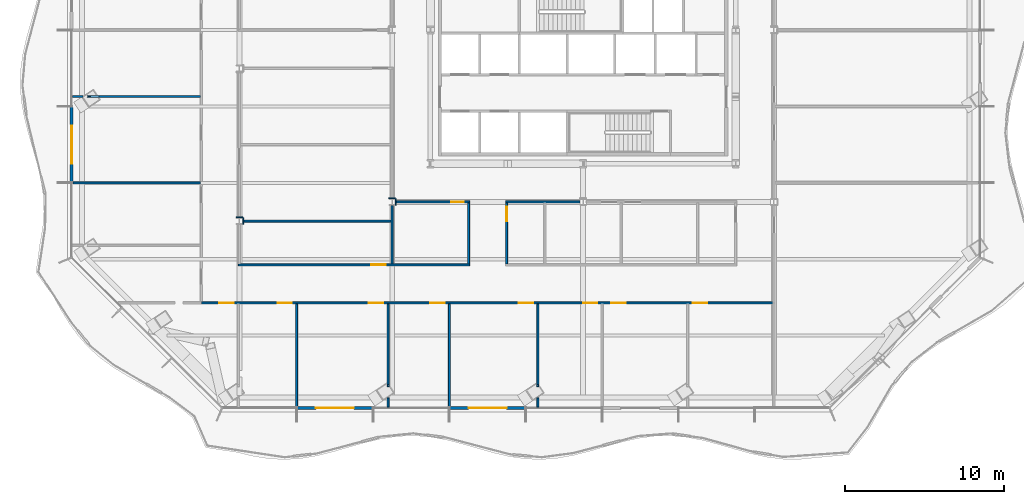
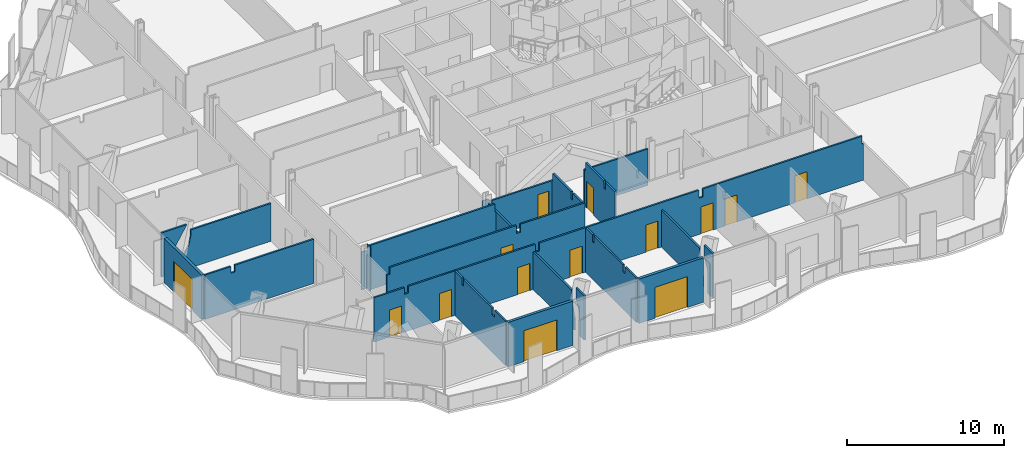
# One storey, part 6 of 20: 24 walls, 14 doors, 14 openings.
"""IFC4 building model written with IfcOpenShell, lengths in metres."""

from ifc_helpers import new_model, si_unit, direction, frame, frame_2d, origin, place, context, subcontext, project, spatial, polyline, rectangle, outline, extrude, material, layer, layer_set, type_object, element, fill, save


model = new_model("IFC4")

# Units and contexts
model_context = context("Model", 3, precision=1e-05, world=origin(), true_north=direction((0.0, 1.0)))
body_context = subcontext(model_context, "Body", "Model", "MODEL_VIEW")
ifc_project = project(units=[si_unit("LENGTHUNIT", "METRE"), si_unit("AREAUNIT", "SQUARE_METRE"), si_unit("VOLUMEUNIT", "CUBIC_METRE"), si_unit("PLANEANGLEUNIT", "RADIAN"), si_unit("MASSUNIT", "GRAM", prefix="KILO")], contexts=[model_context])

# Site, building, storey
site_placement = place(None, origin())
site = spatial("IfcSite", under=ifc_project, at=site_placement, CompositionType="ELEMENT")
building_placement = place(site_placement, origin())
building = spatial("IfcBuilding", under=site, at=building_placement, Name="Cairn Pilgrim Tower", CompositionType="ELEMENT")
storey_placement = place(building_placement, frame((0.0, 0.0, 101.39990234375)))
storey = spatial("IfcBuildingStorey", under=building, at=storey_placement, Name="L24", CompositionType="ELEMENT", Elevation=101.39990234375)

# Wall, opening, door
ifc_material_1 = material(Name="Bronze anodised aluminium insulated sandwich panel with mineral wool fill", Category="aluminium")
ifc_layer_1 = layer(ifc_material_1, 0.199951171875)
ifc_layer_set_1 = layer_set([ifc_layer_1], Name="BRONZE INFILL FRAME WALL 200")
wall_type_1 = type_object("IfcWallType", Name="BRONZE INFILL FRAME WALL 200", PredefinedType="NOTDEFINED", material=ifc_layer_set_1)
wall_1_placement = place(storey_placement, frame((-10.77001953125, -21.35009765625, 0.0), z_axis=(0.0, 0.0, 1.0), x_axis=(1.0, 0.0, 0.0)))
wall_1 = element("IfcWall", 1, at=wall_1_placement, inside=storey, type_object=wall_type_1, Name="Bronze infill frame wall IW-S2", PredefinedType="NOTDEFINED", context=body_context, shape_type="SweptSolid", body=[
    extrude(rectangle(XDim=4.739990234375, YDim=0.199951171875, at=frame_2d((2.3701171875, 0.0))), origin(), (0.0, 0.0, 1.0), 3.4501953125),
])
opening_1_placement = place(wall_1_placement, frame((1.169921875, 0.0, 0.0)))
opening_1 = element("IfcOpeningElement", 2, at=opening_1_placement, cuts=wall_1, Name="Opening 2403B", PredefinedType="OPENING", context=body_context, shape_type="SweptSolid", body=[
    extrude(rectangle(XDim=2.39990234375, YDim=2.39990234375, at=frame_2d((1.199951171875, 1.199951171875))), frame((0.0, 0.10986328125, 0.0), z_axis=(0.0, -1.0, 0.0), x_axis=(1.0, 0.0, 0.0)), (0.0, 0.0, 1.0), 0.219970703125),
])
ifc_material_2 = material(Name="Bronze anodised aluminium frame with tinted low-E glass", Category="aluminium")
door_type_1 = type_object("IfcDoorType", Name="BALCONY SLIDING DOOR 2400x2400", OperationType="DOUBLE_DOOR_SLIDING", PredefinedType="DOOR", material=ifc_material_2)
door_1_placement = place(opening_1_placement, origin())
door_1 = element("IfcDoor", 3, at=door_1_placement, inside=storey, type_object=door_type_1, Name="Balcony sliding door 2403B", OperationType="SINGLE_SWING_LEFT", OverallHeight=2.39990234375, OverallWidth=2.39990234375, PredefinedType="DOOR", context=body_context, shape_type="SweptSolid", body=[
    extrude(rectangle(XDim=2.39990234375, YDim=2.39990234375, at=frame_2d((1.199951171875, 1.199951171875))), frame((0.0, 0.02490234375, 0.0), z_axis=(0.0, -1.0, 0.0), x_axis=(1.0, 0.0, 0.0)), (0.0, 0.0, 1.0), 0.050048828125),
])
fill(opening_1, door_1)

wall_2_placement = place(storey_placement, frame((-1.169921875, -21.35009765625, 0.0), z_axis=(0.0, 0.0, 1.0), x_axis=(1.0, 0.0, 0.0)))
wall_2 = element("IfcWall", 4, at=wall_2_placement, inside=storey, type_object=wall_type_1, Name="Bronze infill frame wall IW-S4", PredefinedType="NOTDEFINED", context=body_context, shape_type="SweptSolid", body=[
    extrude(rectangle(XDim=4.739990234375, YDim=0.199951171875, at=frame_2d((2.3701171875, 0.0))), origin(), (0.0, 0.0, 1.0), 3.4501953125),
])
opening_2_placement = place(wall_2_placement, frame((1.169921875, 0.0, 0.0)))
opening_2 = element("IfcOpeningElement", 5, at=opening_2_placement, cuts=wall_2, Name="Opening 2405B", PredefinedType="OPENING", context=body_context, shape_type="SweptSolid", body=[
    extrude(rectangle(XDim=2.39990234375, YDim=2.39990234375, at=frame_2d((1.199951171875, 1.199951171875))), frame((0.0, 0.10986328125, 0.0), z_axis=(0.0, -1.0, 0.0), x_axis=(1.0, 0.0, 0.0)), (0.0, 0.0, 1.0), 0.219970703125),
])
door_2_placement = place(opening_2_placement, origin())
door_2 = element("IfcDoor", 6, at=door_2_placement, inside=storey, type_object=door_type_1, Name="Balcony sliding door 2405B", OperationType="SINGLE_SWING_LEFT", OverallHeight=2.39990234375, OverallWidth=2.39990234375, PredefinedType="DOOR", context=body_context, shape_type="SweptSolid", body=[
    extrude(rectangle(XDim=2.39990234375, YDim=2.39990234375, at=frame_2d((1.199951171875, 1.199951171875))), frame((0.0, 0.02490234375, 0.0), z_axis=(0.0, -1.0, 0.0), x_axis=(1.0, 0.0, 0.0)), (0.0, 0.0, 1.0), 0.050048828125),
])
fill(opening_2, door_2)

wall_3_placement = place(storey_placement, frame((-24.949951171875, -2.429931640625, 0.0), z_axis=(0.0, 0.0, 1.0), x_axis=(0.0, -1.0, 0.0)))
wall_3 = element("IfcWall", 7, at=wall_3_placement, inside=storey, type_object=wall_type_1, Name="Bronze infill frame wall IW-W5", PredefinedType="NOTDEFINED", context=body_context, shape_type="SweptSolid", body=[
    extrude(rectangle(XDim=4.739990234375, YDim=0.199951171875, at=frame_2d((2.3701171875, 0.0))), origin(), (0.0, 0.0, 1.0), 3.4501953125),
])
opening_3_placement = place(wall_3_placement, frame((1.169921875, 0.0, 0.0)))
opening_3 = element("IfcOpeningElement", 8, at=opening_3_placement, cuts=wall_3, Name="Opening 2411B", PredefinedType="OPENING", context=body_context, shape_type="SweptSolid", body=[
    extrude(rectangle(XDim=2.39990234375, YDim=2.39990234375, at=frame_2d((1.199951171875, 1.199951171875))), frame((0.0, 0.10986328125, 0.0), z_axis=(0.0, -1.0, 0.0), x_axis=(1.0, 0.0, 0.0)), (0.0, 0.0, 1.0), 0.219970703125),
])
door_3_placement = place(opening_3_placement, origin())
door_3 = element("IfcDoor", 9, at=door_3_placement, inside=storey, type_object=door_type_1, Name="Balcony sliding door 2411B", OperationType="SINGLE_SWING_LEFT", OverallHeight=2.39990234375, OverallWidth=2.39990234375, PredefinedType="DOOR", context=body_context, shape_type="SweptSolid", body=[
    extrude(rectangle(XDim=2.39990234375, YDim=2.39990234375, at=frame_2d((1.199951171875, 1.199951171875))), frame((0.0, 0.02490234375, 0.0), z_axis=(0.0, -1.0, 0.0), x_axis=(1.0, 0.0, 0.0)), (0.0, 0.0, 1.0), 0.050048828125),
])
fill(opening_3, door_3)

# Walls
ifc_material_3 = material(Name="Gypsum partition")
ifc_layer_2 = layer(ifc_material_3, 0.125)
ifc_layer_set_2 = layer_set([ifc_layer_2], Name="PARTITION 125 DRYWALL EI 60")
wall_type_2 = type_object("IfcWallType", Name="PARTITION 125 DRYWALL EI 60", PredefinedType="PARTITIONING", material=ifc_layer_set_2)
wall_4_placement = place(storey_placement, frame((-5.056884765625, -21.302978515625, 0.0), z_axis=(0.0, 0.0, 1.0), x_axis=(0.0, 1.0, 0.0)))
element("IfcWall", 10, at=wall_4_placement, inside=storey, type_object=wall_type_2, Name="PARTITION W002", PredefinedType="PARTITIONING", context=body_context, shape_type="SweptSolid", body=[
    extrude(outline(polyline([(0.0, 0.0), (0.5849609375, 0.0), (0.5849609375, 0.862548828125), (0.5849609375, 1.72509765625), (1.05908203125, 2.587646484375), (1.05908203125, 3.4501953125), (0.0, 3.4501953125), (0.0, 2.587646484375), (0.0, 1.72509765625), (0.0, 0.862548828125), (0.0, 0.0)])), frame((0.0, 0.0625, 0.0), z_axis=(0.0, -1.0, 0.0), x_axis=(1.0, 0.0, 0.0)), (0.0, 0.0, 1.0), 0.125),
])
wall_5_placement = place(storey_placement, frame((4.35595703125, -21.302978515625, 0.0), z_axis=(0.0, 0.0, 1.0), x_axis=(0.0, 1.0, 0.0)))
element("IfcWall", 11, at=wall_5_placement, inside=storey, type_object=wall_type_2, Name="PARTITION W003", PredefinedType="PARTITIONING", context=body_context, shape_type="SweptSolid", body=[
    extrude(outline(polyline([(0.0, 0.0), (0.584716796875, 0.0), (0.584716796875, 0.862548828125), (0.584716796875, 1.72509765625), (1.06005859375, 2.587646484375), (1.06005859375, 3.4501953125), (0.0, 3.4501953125), (0.0, 2.587646484375), (0.0, 1.72509765625), (0.0, 0.862548828125), (0.0, 0.0)])), frame((0.0, 0.0625, 0.0), z_axis=(0.0, -1.0, 0.0), x_axis=(1.0, 0.0, 0.0)), (0.0, 0.0, 1.0), 0.125),
])
wall_6_placement = place(storey_placement, frame((-10.800048828125, -21.25, 0.0), z_axis=(0.0, 0.0, 1.0), x_axis=(0.0, 1.0, 0.0)))
element("IfcWall", 12, at=wall_6_placement, inside=storey, type_object=wall_type_2, Name="PARTITION W006", PredefinedType="PARTITIONING", context=body_context, shape_type="SweptSolid", body=[
    extrude(outline(polyline([(0.0, 0.0), (6.4375, 0.0), (6.4375, 3.4501953125), (5.55859375, 3.4501953125), (5.556640625, 2.93017578125), (5.358642578125, 2.93017578125), (5.356689453125, 3.4501953125), (1.70849609375, 3.4501953125), (1.70654296875, 2.93017578125), (1.40869140625, 2.93017578125), (1.406494140625, 3.4501953125), (0.0, 3.4501953125), (0.0, 0.0)])), frame((0.0, 0.0625, 0.0), z_axis=(0.0, -1.0, 0.0), x_axis=(1.0, 0.0, 0.0)), (0.0, 0.0, 1.0), 0.125),
])
wall_7_placement = place(storey_placement, frame((-1.199951171875, -21.25, 0.0), z_axis=(0.0, 0.0, 1.0), x_axis=(0.0, 1.0, 0.0)))
element("IfcWall", 13, at=wall_7_placement, inside=storey, type_object=wall_type_2, Name="PARTITION W007", PredefinedType="PARTITIONING", context=body_context, shape_type="SweptSolid", body=[
    extrude(outline(polyline([(0.0, 0.0), (6.4375, 0.0), (6.4375, 3.4501953125), (5.563720703125, 3.4501953125), (5.5615234375, 2.880126953125), (5.353515625, 2.880126953125), (5.3515625, 3.4501953125), (1.70849609375, 3.4501953125), (1.70654296875, 2.93017578125), (1.40869140625, 2.93017578125), (1.406494140625, 3.4501953125), (0.0, 3.4501953125), (0.0, 0.0)])), frame((0.0, 0.0625, 0.0), z_axis=(0.0, -1.0, 0.0), x_axis=(1.0, 0.0, 0.0)), (0.0, 0.0, 1.0), 0.125),
])
wall_8_placement = place(storey_placement, frame((-5.056884765625, -20.011474609375, 0.0), z_axis=(0.0, 0.0, 1.0), x_axis=(0.0, 1.0, 0.0)))
element("IfcWall", 14, at=wall_8_placement, inside=storey, type_object=wall_type_2, Name="PARTITION W010", PredefinedType="PARTITIONING", context=body_context, shape_type="SweptSolid", body=[
    extrude(outline(polyline([(0.0, 0.0), (5.198974609375, 0.0), (5.198974609375, 0.862548828125), (5.198974609375, 1.72509765625), (5.198974609375, 2.587646484375), (5.198974609375, 2.93017578125), (0.338134765625, 2.93017578125), (0.338134765625, 2.587646484375), (0.338134765625, 1.72509765625), (0.0, 0.862548828125), (0.0, 0.0)])), frame((0.0, 0.0625, 0.0), z_axis=(0.0, -1.0, 0.0), x_axis=(1.0, 0.0, 0.0)), (0.0, 0.0, 1.0), 0.125),
])
wall_9_placement = place(storey_placement, frame((4.35595703125, -20.010498046875, 0.0), z_axis=(0.0, 0.0, 1.0), x_axis=(0.0, 1.0, 0.0)))
element("IfcWall", 15, at=wall_9_placement, inside=storey, type_object=wall_type_2, Name="PARTITION W011", PredefinedType="PARTITIONING", context=body_context, shape_type="SweptSolid", body=[
    extrude(outline(polyline([(0.0, 0.0), (5.197998046875, 0.0), (5.197998046875, 0.862548828125), (5.197998046875, 1.72509765625), (5.197998046875, 2.587646484375), (5.197998046875, 2.880126953125), (0.3369140625, 2.880126953125), (0.3369140625, 2.587646484375), (0.3369140625, 1.72509765625), (0.0, 0.862548828125), (0.0, 0.0)])), frame((0.0, 0.0625, 0.0), z_axis=(0.0, -1.0, 0.0), x_axis=(1.0, 0.0, 0.0)), (0.0, 0.0, 1.0), 0.125),
])

# Wall, openings, doors
wall_10_placement = place(storey_placement, frame((-16.800048828125, -14.75, 0.0), z_axis=(0.0, 0.0, 1.0), x_axis=(1.0, 0.0, 0.0)))
wall_10 = element("IfcWall", 16, at=wall_10_placement, inside=storey, type_object=wall_type_2, Name="PARTITION W015", PredefinedType="PARTITIONING", context=body_context, shape_type="SweptSolid", body=[
    extrude(outline(polyline([(0.0, 0.0), (35.9375, 0.0), (35.9375, 2.830078125), (35.85009765625, 2.830078125), (35.847900390625, 3.4501953125), (24.14990234375, 3.4501953125), (24.14794921875, 2.830078125), (23.85009765625, 2.830078125), (23.847900390625, 3.4501953125), (12.14990234375, 3.4501953125), (12.14794921875, 2.830078125), (11.85009765625, 2.830078125), (11.847900390625, 3.4501953125), (2.550048828125, 3.4501953125), (2.548095703125, 2.93017578125), (2.25, 2.93017578125), (2.248046875, 3.4501953125), (0.0, 3.4501953125), (0.0, 0.0)])), frame((0.0, 0.0625, 0.0), z_axis=(0.0, -1.0, 0.0), x_axis=(1.0, 0.0, 0.0)), (0.0, 0.0, 1.0), 0.125),
])
opening_4_placement = place(wall_10_placement, frame((1.12890625, 0.0, 0.0)))
opening_4 = element("IfcOpeningElement", 17, at=opening_4_placement, cuts=wall_10, Name="Opening 2401", PredefinedType="OPENING", context=body_context, shape_type="SweptSolid", body=[
    extrude(rectangle(XDim=0.89990234375, YDim=2.10009765625, at=frame_2d((0.449951171875, 1.050048828125))), frame((0.0, 0.072509765625, 0.0), z_axis=(0.0, -1.0, 0.0), x_axis=(1.0, 0.0, 0.0)), (0.0, 0.0, 1.0), 0.14501953125),
])
opening_5_placement = place(wall_10_placement, frame((4.800048828125, 0.0, 0.0)))
opening_5 = element("IfcOpeningElement", 18, at=opening_5_placement, cuts=wall_10, Name="Opening 2402", PredefinedType="OPENING", context=body_context, shape_type="SweptSolid", body=[
    extrude(rectangle(XDim=0.89990234375, YDim=2.10009765625, at=frame_2d((0.449951171875, 1.050048828125))), frame((0.0, 0.072509765625, 0.0), z_axis=(0.0, -1.0, 0.0), x_axis=(1.0, 0.0, 0.0)), (0.0, 0.0, 1.0), 0.14501953125),
])
opening_6_placement = place(wall_10_placement, frame((10.54296875, 0.0, 0.0)))
opening_6 = element("IfcOpeningElement", 19, at=opening_6_placement, cuts=wall_10, Name="Opening 2403", PredefinedType="OPENING", context=body_context, shape_type="SweptSolid", body=[
    extrude(rectangle(XDim=0.89990234375, YDim=2.10009765625, at=frame_2d((0.449951171875, 1.050048828125))), frame((0.0, 0.072509765625, 0.0), z_axis=(0.0, -1.0, 0.0), x_axis=(1.0, 0.0, 0.0)), (0.0, 0.0, 1.0), 0.14501953125),
])
opening_7_placement = place(wall_10_placement, frame((14.39990234375, 0.0, 0.0)))
opening_7 = element("IfcOpeningElement", 20, at=opening_7_placement, cuts=wall_10, Name="Opening 2404", PredefinedType="OPENING", context=body_context, shape_type="SweptSolid", body=[
    extrude(rectangle(XDim=0.89990234375, YDim=2.10009765625, at=frame_2d((0.449951171875, 1.050048828125))), frame((0.0, 0.072509765625, 0.0), z_axis=(0.0, -1.0, 0.0), x_axis=(1.0, 0.0, 0.0)), (0.0, 0.0, 1.0), 0.14501953125),
])
opening_8_placement = place(wall_10_placement, frame((19.9560546875, 0.0, 0.0)))
opening_8 = element("IfcOpeningElement", 21, at=opening_8_placement, cuts=wall_10, Name="Opening 2405", PredefinedType="OPENING", context=body_context, shape_type="SweptSolid", body=[
    extrude(rectangle(XDim=0.89990234375, YDim=2.10009765625, at=frame_2d((0.449951171875, 1.050048828125))), frame((0.0, 0.072509765625, 0.0), z_axis=(0.0, -1.0, 0.0), x_axis=(1.0, 0.0, 0.0)), (0.0, 0.0, 1.0), 0.14501953125),
])
opening_9_placement = place(wall_10_placement, frame((24.0, 0.0, 0.0)))
opening_9 = element("IfcOpeningElement", 22, at=opening_9_placement, cuts=wall_10, Name="Opening 2406", PredefinedType="OPENING", context=body_context, shape_type="SweptSolid", body=[
    extrude(rectangle(XDim=0.89990234375, YDim=2.10009765625, at=frame_2d((0.449951171875, 1.050048828125))), frame((0.0, 0.072509765625, 0.0), z_axis=(0.0, -1.0, 0.0), x_axis=(1.0, 0.0, 0.0)), (0.0, 0.0, 1.0), 0.14501953125),
])
opening_10_placement = place(wall_10_placement, frame((25.77001953125, 0.0, 0.0)))
opening_10 = element("IfcOpeningElement", 23, at=opening_10_placement, cuts=wall_10, Name="Opening 2407", PredefinedType="OPENING", context=body_context, shape_type="SweptSolid", body=[
    extrude(rectangle(XDim=0.89990234375, YDim=2.10009765625, at=frame_2d((0.449951171875, 1.050048828125))), frame((0.0, 0.072509765625, 0.0), z_axis=(0.0, -1.0, 0.0), x_axis=(1.0, 0.0, 0.0)), (0.0, 0.0, 1.0), 0.14501953125),
])
opening_11_placement = place(wall_10_placement, frame((30.89990234375, 0.0, 0.0)))
opening_11 = element("IfcOpeningElement", 24, at=opening_11_placement, cuts=wall_10, Name="Opening 2408", PredefinedType="OPENING", context=body_context, shape_type="SweptSolid", body=[
    extrude(rectangle(XDim=0.89990234375, YDim=2.10009765625, at=frame_2d((0.449951171875, 1.050048828125))), frame((0.0, 0.072509765625, 0.0), z_axis=(0.0, -1.0, 0.0), x_axis=(1.0, 0.0, 0.0)), (0.0, 0.0, 1.0), 0.14501953125),
])
ifc_material_4 = material(Name="Steel-faced fire door leaf", Category="steel")
door_type_2 = type_object("IfcDoorType", Name="FIRE DOOR 900x2100 FD30S", OperationType="NOTDEFINED", PredefinedType="DOOR", material=ifc_material_4)
door_4_placement = place(opening_4_placement, frame((0.89990234375, 0.0, 0.0), z_axis=(0.0, 0.0, 1.0), x_axis=(-1.0, 0.0, 0.0)))
door_4 = element("IfcDoor", 25, at=door_4_placement, inside=storey, type_object=door_type_2, Name="DOOR 2401", OperationType="SINGLE_SWING_RIGHT", OverallHeight=2.10009765625, OverallWidth=0.89990234375, PredefinedType="DOOR", context=body_context, shape_type="SweptSolid", body=[
    extrude(rectangle(XDim=0.89990234375, YDim=2.10009765625, at=frame_2d((0.449951171875, 1.050048828125))), frame((0.0, 0.02490234375, 0.0), z_axis=(0.0, -1.0, 0.0), x_axis=(1.0, 0.0, 0.0)), (0.0, 0.0, 1.0), 0.050048828125),
])
fill(opening_4, door_4)
door_5_placement = place(opening_5_placement, frame((0.89990234375, 0.0, 0.0), z_axis=(0.0, 0.0, 1.0), x_axis=(-1.0, 0.0, 0.0)))
door_5 = element("IfcDoor", 26, at=door_5_placement, inside=storey, type_object=door_type_2, Name="DOOR 2402", OperationType="SINGLE_SWING_LEFT", OverallHeight=2.10009765625, OverallWidth=0.89990234375, PredefinedType="DOOR", context=body_context, shape_type="SweptSolid", body=[
    extrude(rectangle(XDim=0.89990234375, YDim=2.10009765625, at=frame_2d((0.449951171875, 1.050048828125))), frame((0.0, 0.02490234375, 0.0), z_axis=(0.0, -1.0, 0.0), x_axis=(1.0, 0.0, 0.0)), (0.0, 0.0, 1.0), 0.050048828125),
])
fill(opening_5, door_5)
door_6_placement = place(opening_6_placement, frame((0.89990234375, 0.0, 0.0), z_axis=(0.0, 0.0, 1.0), x_axis=(-1.0, 0.0, 0.0)))
door_6 = element("IfcDoor", 27, at=door_6_placement, inside=storey, type_object=door_type_2, Name="DOOR 2403", OperationType="SINGLE_SWING_RIGHT", OverallHeight=2.10009765625, OverallWidth=0.89990234375, PredefinedType="DOOR", context=body_context, shape_type="SweptSolid", body=[
    extrude(rectangle(XDim=0.89990234375, YDim=2.10009765625, at=frame_2d((0.449951171875, 1.050048828125))), frame((0.0, 0.02490234375, 0.0), z_axis=(0.0, -1.0, 0.0), x_axis=(1.0, 0.0, 0.0)), (0.0, 0.0, 1.0), 0.050048828125),
])
fill(opening_6, door_6)
door_7_placement = place(opening_7_placement, frame((0.89990234375, 0.0, 0.0), z_axis=(0.0, 0.0, 1.0), x_axis=(-1.0, 0.0, 0.0)))
door_7 = element("IfcDoor", 28, at=door_7_placement, inside=storey, type_object=door_type_2, Name="DOOR 2404", OperationType="SINGLE_SWING_LEFT", OverallHeight=2.10009765625, OverallWidth=0.89990234375, PredefinedType="DOOR", context=body_context, shape_type="SweptSolid", body=[
    extrude(rectangle(XDim=0.89990234375, YDim=2.10009765625, at=frame_2d((0.449951171875, 1.050048828125))), frame((0.0, 0.02490234375, 0.0), z_axis=(0.0, -1.0, 0.0), x_axis=(1.0, 0.0, 0.0)), (0.0, 0.0, 1.0), 0.050048828125),
])
fill(opening_7, door_7)
door_8_placement = place(opening_8_placement, frame((0.89990234375, 0.0, 0.0), z_axis=(0.0, 0.0, 1.0), x_axis=(-1.0, 0.0, 0.0)))
door_8 = element("IfcDoor", 29, at=door_8_placement, inside=storey, type_object=door_type_2, Name="DOOR 2405", OperationType="SINGLE_SWING_RIGHT", OverallHeight=2.10009765625, OverallWidth=0.89990234375, PredefinedType="DOOR", context=body_context, shape_type="SweptSolid", body=[
    extrude(rectangle(XDim=0.89990234375, YDim=2.10009765625, at=frame_2d((0.449951171875, 1.050048828125))), frame((0.0, 0.02490234375, 0.0), z_axis=(0.0, -1.0, 0.0), x_axis=(1.0, 0.0, 0.0)), (0.0, 0.0, 1.0), 0.050048828125),
])
fill(opening_8, door_8)
door_9_placement = place(opening_9_placement, frame((0.89990234375, 0.0, 0.0), z_axis=(0.0, 0.0, 1.0), x_axis=(-1.0, 0.0, 0.0)))
door_9 = element("IfcDoor", 30, at=door_9_placement, inside=storey, type_object=door_type_2, Name="DOOR 2406", OperationType="SINGLE_SWING_LEFT", OverallHeight=2.10009765625, OverallWidth=0.89990234375, PredefinedType="DOOR", context=body_context, shape_type="SweptSolid", body=[
    extrude(rectangle(XDim=0.89990234375, YDim=2.10009765625, at=frame_2d((0.449951171875, 1.050048828125))), frame((0.0, 0.02490234375, 0.0), z_axis=(0.0, -1.0, 0.0), x_axis=(1.0, 0.0, 0.0)), (0.0, 0.0, 1.0), 0.050048828125),
])
fill(opening_9, door_9)
door_10_placement = place(opening_10_placement, frame((0.89990234375, 0.0, 0.0), z_axis=(0.0, 0.0, 1.0), x_axis=(-1.0, 0.0, 0.0)))
door_10 = element("IfcDoor", 31, at=door_10_placement, inside=storey, type_object=door_type_2, Name="DOOR 2407", OperationType="SINGLE_SWING_RIGHT", OverallHeight=2.10009765625, OverallWidth=0.89990234375, PredefinedType="DOOR", context=body_context, shape_type="SweptSolid", body=[
    extrude(rectangle(XDim=0.89990234375, YDim=2.10009765625, at=frame_2d((0.449951171875, 1.050048828125))), frame((0.0, 0.02490234375, 0.0), z_axis=(0.0, -1.0, 0.0), x_axis=(1.0, 0.0, 0.0)), (0.0, 0.0, 1.0), 0.050048828125),
])
fill(opening_10, door_10)
door_11_placement = place(opening_11_placement, frame((0.89990234375, 0.0, 0.0), z_axis=(0.0, 0.0, 1.0), x_axis=(-1.0, 0.0, 0.0)))
door_11 = element("IfcDoor", 32, at=door_11_placement, inside=storey, type_object=door_type_2, Name="DOOR 2408", OperationType="SINGLE_SWING_LEFT", OverallHeight=2.10009765625, OverallWidth=0.89990234375, PredefinedType="DOOR", context=body_context, shape_type="SweptSolid", body=[
    extrude(rectangle(XDim=0.89990234375, YDim=2.10009765625, at=frame_2d((0.449951171875, 1.050048828125))), frame((0.0, 0.02490234375, 0.0), z_axis=(0.0, -1.0, 0.0), x_axis=(1.0, 0.0, 0.0)), (0.0, 0.0, 1.0), 0.050048828125),
])
fill(opening_11, door_11)

# Wall, opening, door
wall_11_placement = place(storey_placement, frame((-14.46240234375, -12.35009765625, 0.0), z_axis=(0.0, 0.0, 1.0), x_axis=(1.0, 0.0, 0.0)))
wall_11 = element("IfcWall", 33, at=wall_11_placement, inside=storey, type_object=wall_type_2, Name="PARTITION W018", PredefinedType="PARTITIONING", context=body_context, shape_type="SweptSolid", body=[
    extrude(outline(polyline([(0.0, 0.0), (14.52490234375, 0.0), (14.52490234375, 3.4501953125), (9.8125, 3.4501953125), (9.810546875, 2.830078125), (9.512451171875, 2.830078125), (9.510498046875, 3.4501953125), (0.21240234375, 3.4501953125), (0.21044921875, 2.93017578125), (0.0, 2.93017578125), (0.0, 0.0)])), frame((0.0, 0.0625, 0.0), z_axis=(0.0, -1.0, 0.0), x_axis=(1.0, 0.0, 0.0)), (0.0, 0.0, 1.0), 0.125),
])
opening_12_placement = place(wall_11_placement, frame((8.362548828125, 0.0, 0.0)))
opening_12 = element("IfcOpeningElement", 34, at=opening_12_placement, cuts=wall_11, Name="Opening 2425", PredefinedType="OPENING", context=body_context, shape_type="SweptSolid", body=[
    extrude(rectangle(XDim=0.89990234375, YDim=2.10009765625, at=frame_2d((0.449951171875, 1.050048828125))), frame((0.0, 0.072509765625, 0.0), z_axis=(0.0, -1.0, 0.0), x_axis=(1.0, 0.0, 0.0)), (0.0, 0.0, 1.0), 0.14501953125),
])
door_12_placement = place(opening_12_placement, origin())
door_12 = element("IfcDoor", 35, at=door_12_placement, inside=storey, type_object=door_type_2, Name="DOOR 2425", OperationType="SINGLE_SWING_RIGHT", OverallHeight=2.10009765625, OverallWidth=0.89990234375, PredefinedType="DOOR", context=body_context, shape_type="SweptSolid", body=[
    extrude(rectangle(XDim=0.89990234375, YDim=2.10009765625, at=frame_2d((0.449951171875, 1.050048828125))), frame((0.0, 0.02490234375, 0.0), z_axis=(0.0, -1.0, 0.0), x_axis=(1.0, 0.0, 0.0)), (0.0, 0.0, 1.0), 0.050048828125),
])
fill(opening_12, door_12)

# Walls
wall_12_placement = place(storey_placement, frame((-4.800048828125, -12.28759765625, 0.0), z_axis=(0.0, 0.0, 1.0), x_axis=(0.0, 1.0, 0.0)))
element("IfcWall", 36, at=wall_12_placement, inside=storey, type_object=wall_type_2, Name="PARTITION W020", PredefinedType="PARTITIONING", context=body_context, shape_type="SweptSolid", body=[
    extrude(rectangle(XDim=3.675048828125, YDim=0.125, at=frame_2d((1.83740234375, 0.0))), origin(), (0.0, 0.0, 1.0), 2.830078125),
])
wall_13_placement = place(storey_placement, frame((0.0, -12.28759765625, 0.0), z_axis=(0.0, 0.0, 1.0), x_axis=(0.0, 1.0, 0.0)))
element("IfcWall", 37, at=wall_13_placement, inside=storey, type_object=wall_type_2, Name="PARTITION W021", PredefinedType="PARTITIONING", context=body_context, shape_type="SweptSolid", body=[
    extrude(outline(polyline([(0.0, 0.0), (3.8251953125, 0.0), (3.824951171875, 2.830078125), (3.737548828125, 2.830078125), (3.735595703125, 3.4501953125), (1.401123046875, 3.4501953125), (1.399169921875, 2.880126953125), (1.191162109375, 2.880126953125), (1.189208984375, 3.4501953125), (0.0, 3.4501953125), (0.0, 0.0)])), frame((0.0, 0.0625, 0.0), z_axis=(0.0, -1.0, 0.0), x_axis=(1.0, 0.0, 0.0)), (0.0, 0.0, 1.0), 0.125),
])

# Wall, opening, door
wall_14_placement = place(storey_placement, frame((2.39990234375, -12.28759765625, 0.0), z_axis=(0.0, 0.0, 1.0), x_axis=(0.0, 1.0, 0.0)))
wall_14 = element("IfcWall", 38, at=wall_14_placement, inside=storey, type_object=wall_type_2, Name="PARTITION W023", PredefinedType="PARTITIONING", context=body_context, shape_type="SweptSolid", body=[
    extrude(outline(polyline([(0.0, 0.0), (3.8251953125, 0.0), (3.824951171875, 2.830078125), (3.737548828125, 2.830078125), (3.735595703125, 3.4501953125), (1.401123046875, 3.4501953125), (1.399169921875, 2.880126953125), (1.191162109375, 2.880126953125), (1.189208984375, 3.4501953125), (0.0, 3.4501953125), (0.0, 0.0)])), frame((0.0, 0.0625, 0.0), z_axis=(0.0, -1.0, 0.0), x_axis=(1.0, 0.0, 0.0)), (0.0, 0.0, 1.0), 0.125),
])
opening_13_placement = place(wall_14_placement, frame((2.6875, 0.0, 0.0)))
opening_13 = element("IfcOpeningElement", 39, at=opening_13_placement, cuts=wall_14, Name="Opening 2431", PredefinedType="OPENING", context=body_context, shape_type="SweptSolid", body=[
    extrude(rectangle(XDim=0.89990234375, YDim=2.10009765625, at=frame_2d((0.449951171875, 1.050048828125))), frame((0.0, 0.072509765625, 0.0), z_axis=(0.0, -1.0, 0.0), x_axis=(1.0, 0.0, 0.0)), (0.0, 0.0, 1.0), 0.14501953125),
])
door_13_placement = place(opening_13_placement, frame((0.89990234375, 0.0, 0.0), z_axis=(0.0, 0.0, 1.0), x_axis=(-1.0, 0.0, 0.0)))
door_13 = element("IfcDoor", 40, at=door_13_placement, inside=storey, type_object=door_type_2, Name="DOOR 2431", OperationType="SINGLE_SWING_RIGHT", OverallHeight=2.10009765625, OverallWidth=0.89990234375, PredefinedType="DOOR", context=body_context, shape_type="SweptSolid", body=[
    extrude(rectangle(XDim=0.89990234375, YDim=2.10009765625, at=frame_2d((0.449951171875, 1.050048828125))), frame((0.0, 0.02490234375, 0.0), z_axis=(0.0, -1.0, 0.0), x_axis=(1.0, 0.0, 0.0)), (0.0, 0.0, 1.0), 0.050048828125),
])
fill(opening_13, door_13)

# Wall
wall_15_placement = place(storey_placement, frame((-14.195556640625, -9.60009765625, 0.0), z_axis=(0.0, 0.0, 1.0), x_axis=(1.0, 0.0, 0.0)))
element("IfcWall", 41, at=wall_15_placement, inside=storey, type_object=wall_type_2, Name="PARTITION W030", PredefinedType="PARTITIONING", context=body_context, shape_type="SweptSolid", body=[
    extrude(outline(polyline([(0.0, 0.0), (9.3330078125, 0.0), (9.3330078125, 2.830078125), (9.24560546875, 2.830078125), (9.243408203125, 3.4501953125), (0.0, 3.4501953125), (0.0, 0.0)])), frame((0.0, 0.0625, 0.0), z_axis=(0.0, -1.0, 0.0), x_axis=(1.0, 0.0, 0.0)), (0.0, 0.0, 1.0), 0.125),
])

# Wall, opening, door
wall_16_placement = place(storey_placement, frame((-4.595458984375, -8.39990234375, 0.0), z_axis=(0.0, 0.0, 1.0), x_axis=(1.0, 0.0, 0.0)))
wall_16 = element("IfcWall", 42, at=wall_16_placement, inside=storey, type_object=wall_type_2, Name="PARTITION W032", PredefinedType="PARTITIONING", context=body_context, shape_type="SweptSolid", body=[
    extrude(rectangle(XDim=4.657958984375, YDim=0.125, at=frame_2d((2.3291015625, 0.0))), origin(), (0.0, 0.0, 1.0), 2.830078125),
])
opening_14_placement = place(wall_16_placement, frame((3.49560546875, 0.0, 0.0)))
opening_14 = element("IfcOpeningElement", 43, at=opening_14_placement, cuts=wall_16, Name="Opening 2430", PredefinedType="OPENING", context=body_context, shape_type="SweptSolid", body=[
    extrude(rectangle(XDim=0.800048828125, YDim=2.10009765625, at=frame_2d((0.39990234375, 1.050048828125))), frame((0.0, 0.072509765625, 0.0), z_axis=(0.0, -1.0, 0.0), x_axis=(1.0, 0.0, 0.0)), (0.0, 0.0, 1.0), 0.14501953125),
])
door_type_3 = type_object("IfcDoorType", Name="FIRE DOOR 800x2100 FD30S", OperationType="NOTDEFINED", PredefinedType="DOOR", material=ifc_material_4)
door_14_placement = place(opening_14_placement, frame((0.800048828125, 0.0, 0.0), z_axis=(0.0, 0.0, 1.0), x_axis=(-1.0, 0.0, 0.0)))
door_14 = element("IfcDoor", 44, at=door_14_placement, inside=storey, type_object=door_type_3, Name="DOOR 2430", OperationType="SINGLE_SWING_LEFT", OverallHeight=2.10009765625, OverallWidth=0.800048828125, PredefinedType="DOOR", context=body_context, shape_type="SweptSolid", body=[
    extrude(rectangle(XDim=0.800048828125, YDim=2.10009765625, at=frame_2d((0.39990234375, 1.050048828125))), frame((0.0, 0.02490234375, 0.0), z_axis=(0.0, -1.0, 0.0), x_axis=(1.0, 0.0, 0.0)), (0.0, 0.0, 1.0), 0.050048828125),
])
fill(opening_14, door_14)

# Walls
wall_17_placement = place(storey_placement, frame((2.33740234375, -8.39990234375, 0.0), z_axis=(0.0, 0.0, 1.0), x_axis=(1.0, 0.0, 0.0)))
element("IfcWall", 45, at=wall_17_placement, inside=storey, type_object=wall_type_2, Name="PARTITION W033", PredefinedType="PARTITIONING", context=body_context, shape_type="SweptSolid", body=[
    extrude(rectangle(XDim=4.658203125, YDim=0.125, at=frame_2d((2.3291015625, 0.0))), origin(), (0.0, 0.0, 1.0), 2.830078125),
])
wall_18_placement = place(storey_placement, frame((-24.85009765625, -7.199951171875, 0.0), z_axis=(0.0, 0.0, 1.0), x_axis=(1.0, 0.0, 0.0)))
element("IfcWall", 46, at=wall_18_placement, inside=storey, type_object=wall_type_2, Name="PARTITION W037", PredefinedType="PARTITIONING", context=body_context, shape_type="SweptSolid", body=[
    extrude(outline(polyline([(0.0, 0.0), (7.987548828125, 0.0), (7.987548828125, 3.4501953125), (2.212890625, 3.4501953125), (2.2109375, 2.93017578125), (1.912841796875, 2.93017578125), (1.910888671875, 3.4501953125), (0.0, 3.4501953125), (0.0, 0.0)])), frame((0.0, 0.0625, 0.0), z_axis=(0.0, -1.0, 0.0), x_axis=(1.0, 0.0, 0.0)), (0.0, 0.0, 1.0), 0.125),
])
wall_19_placement = place(storey_placement, frame((-24.903076171875, -1.77099609375, 0.0), z_axis=(0.0, 0.0, 1.0), x_axis=(1.0, 0.0, 0.0)))
element("IfcWall", 47, at=wall_19_placement, inside=storey, type_object=wall_type_2, Name="PARTITION W041", PredefinedType="PARTITIONING", context=body_context, shape_type="SweptSolid", body=[
    extrude(outline(polyline([(0.0, 0.0), (0.545166015625, 0.0), (0.545166015625, 0.862548828125), (0.824462890625, 1.72509765625), (1.347900390625, 2.587646484375), (1.87158203125, 3.4501953125), (0.0, 3.4501953125), (0.0, 2.587646484375), (0.0, 1.72509765625), (0.0, 0.862548828125), (0.0, 0.0)])), frame((0.0, 0.0625, 0.0), z_axis=(0.0, -1.0, 0.0), x_axis=(1.0, 0.0, 0.0)), (0.0, 0.0, 1.0), 0.125),
])
wall_20_placement = place(storey_placement, frame((-23.965087890625, -1.77099609375, 0.0), z_axis=(0.0, 0.0, 1.0), x_axis=(1.0, 0.0, 0.0)))
element("IfcWall", 48, at=wall_20_placement, inside=storey, type_object=wall_type_2, Name="PARTITION W042", PredefinedType="PARTITIONING", context=body_context, shape_type="SweptSolid", body=[
    extrude(outline(polyline([(0.0, 0.0), (7.102783203125, 0.0), (7.102783203125, 0.862548828125), (7.102783203125, 1.72509765625), (7.102783203125, 2.587646484375), (7.102783203125, 2.93017578125), (1.237060546875, 2.93017578125), (1.237060546875, 2.587646484375), (1.047119140625, 1.72509765625), (0.523681640625, 0.862548828125), (0.0, 0.0)])), frame((0.0, 0.0625, 0.0), z_axis=(0.0, -1.0, 0.0), x_axis=(1.0, 0.0, 0.0)), (0.0, 0.0, 1.0), 0.125),
])
ifc_layer_3 = layer(ifc_material_3, 0.050048828125)
ifc_layer_set_3 = layer_set([ifc_layer_3], Name="PARTITION 50 DRYWALL EI 60")
wall_type_3 = type_object("IfcWallType", Name="PARTITION 50 DRYWALL EI 60", PredefinedType="PARTITIONING", material=ifc_layer_set_3)
wall_21_placement = place(storey_placement, frame((-14.17041015625, -9.8125, 0.0), z_axis=(0.0, 0.0, 1.0), x_axis=(0.0, 1.0, 0.0)))
element("IfcWall", 49, at=wall_21_placement, inside=storey, type_object=wall_type_3, Name="COLUMN CASING WC04", PredefinedType="PARTITIONING", context=body_context, shape_type="SweptSolid", body=[
    extrude(rectangle(XDim=0.425048828125, YDim=0.050048828125, at=frame_2d((0.21240234375, 0.0))), origin(), (0.0, 0.0, 1.0), 3.4501953125),
])
wall_22_placement = place(storey_placement, frame((-4.570556640625, -8.612548828125, 0.0), z_axis=(0.0, 0.0, 1.0), x_axis=(0.0, 1.0, 0.0)))
element("IfcWall", 50, at=wall_22_placement, inside=storey, type_object=wall_type_3, Name="COLUMN CASING WC06", PredefinedType="PARTITIONING", context=body_context, shape_type="SweptSolid", body=[
    extrude(rectangle(XDim=0.425048828125, YDim=0.050048828125, at=frame_2d((0.21240234375, 0.0))), origin(), (0.0, 0.0, 1.0), 2.830078125),
])
wall_23_placement = place(storey_placement, frame((-14.6044921875, -9.362548828125, 0.0), z_axis=(0.0, 0.0, 1.0), x_axis=(1.0, 0.0, 0.0)))
element("IfcWall", 51, at=wall_23_placement, inside=storey, type_object=wall_type_3, Name="COLUMN CASING WC07", PredefinedType="PARTITIONING", context=body_context, shape_type="SweptSolid", body=[
    extrude(rectangle(XDim=0.408935546875, YDim=0.050048828125, at=frame_2d((0.20458984375, 0.0))), origin(), (0.0, 0.0, 1.0), 2.93017578125),
])
wall_24_placement = place(storey_placement, frame((-5.00439453125, -8.16259765625, 0.0), z_axis=(0.0, 0.0, 1.0), x_axis=(1.0, 0.0, 0.0)))
element("IfcWall", 52, at=wall_24_placement, inside=storey, type_object=wall_type_3, Name="COLUMN CASING WC08", PredefinedType="PARTITIONING", context=body_context, shape_type="SweptSolid", body=[
    extrude(rectangle(XDim=0.408935546875, YDim=0.050048828125, at=frame_2d((0.20458984375, 0.0))), origin(), (0.0, 0.0, 1.0), 2.830078125),
])

save(model, "model.ifc")
